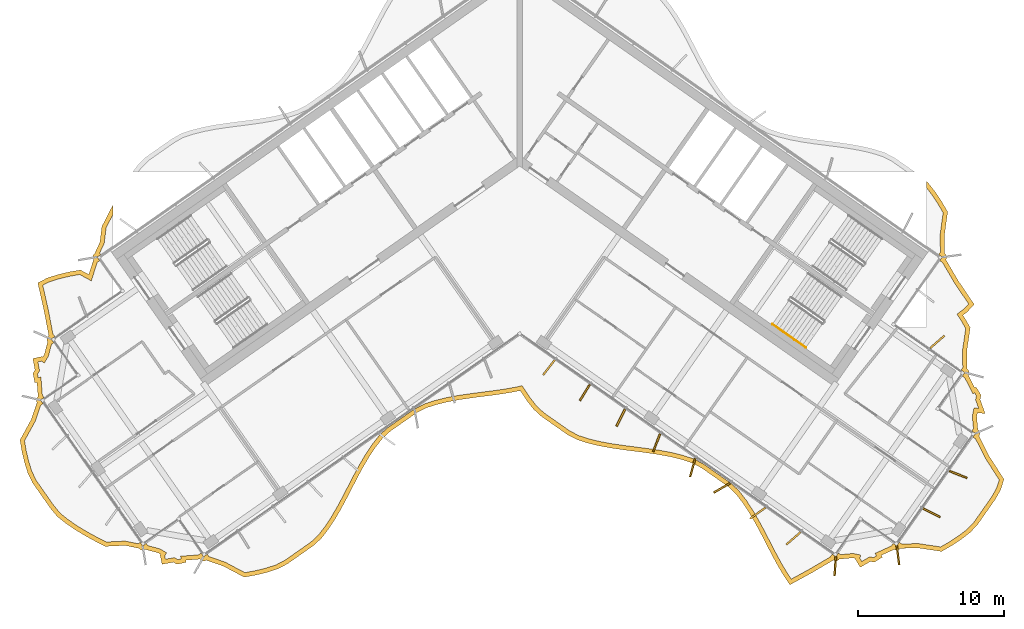
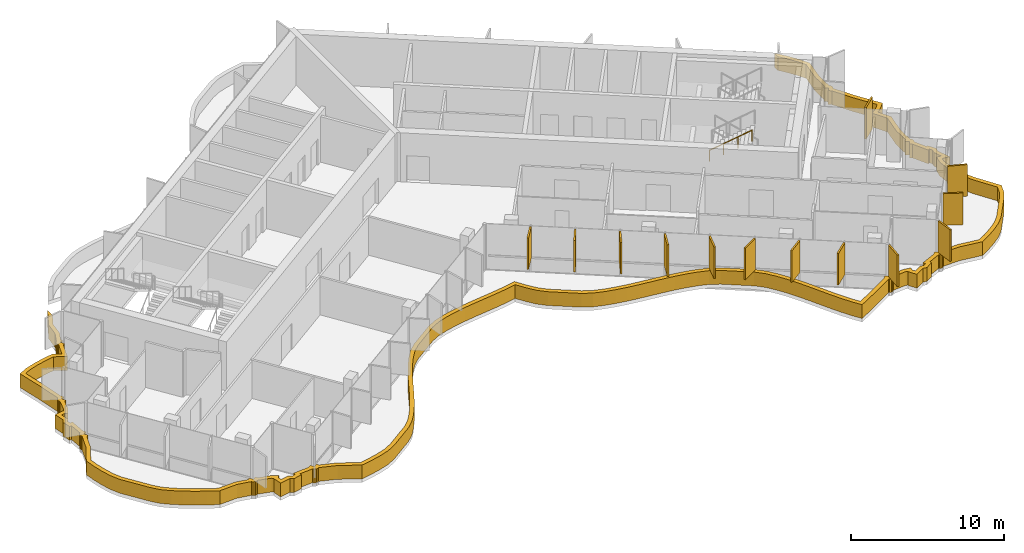
# One storey, part 16 of 18: 14 shading devices, 1 railing.
"""IFC4 building model written with IfcOpenShell, lengths in metres."""

from ifc_helpers import new_model, si_unit, direction, frame, origin, origin_2d, place, context, subcontext, project, spatial, polyline, rectangle, circle, outline, extrude, material, layer, layer_set, type_object, element, save


model = new_model("IFC4")

# Units and contexts
model_context = context("Model", 3, precision=1e-05, world=origin(), true_north=direction((0.0, 1.0)))
body_context = subcontext(model_context, "Body", "Model", "MODEL_VIEW")
ifc_project = project(units=[si_unit("LENGTHUNIT", "METRE"), si_unit("AREAUNIT", "SQUARE_METRE"), si_unit("VOLUMEUNIT", "CUBIC_METRE"), si_unit("PLANEANGLEUNIT", "RADIAN"), si_unit("MASSUNIT", "GRAM", prefix="KILO")], contexts=[model_context])

# Site, building, storey
site_placement = place(None, origin())
site = spatial("IfcSite", under=ifc_project, at=site_placement, CompositionType="ELEMENT")
building_placement = place(site_placement, origin())
building = spatial("IfcBuilding", under=site, at=building_placement, Name="Tel Ilan Convention Tower", CompositionType="ELEMENT")
storey_placement = place(building_placement, frame((0.0, 0.0, 256.60009765625)))
storey = spatial("IfcBuildingStorey", under=building, at=storey_placement, Name="L60", CompositionType="ELEMENT", Elevation=256.60009765625)

# Shading devices
ifc_material_1 = material(Name="Aluminium, bronze anodised", Category="aluminium")
ifc_layer_1 = layer(ifc_material_1, 0.1201171875)
ifc_layer_set_1 = layer_set([ifc_layer_1], Name="FIN BRONZE 1300x120")
shading_device_type_1 = type_object("IfcShadingDeviceType", Name="FIN BRONZE 1300x120", PredefinedType="USERDEFINED", material=ifc_layer_set_1)
for number, where, z_axis, x_axis, name in (
    (1, (2.007568359375, -15.019287109375, 1.099853515625), (0.0, 0.0, 1.0), (-0.612600545196, -0.790392669516, 0.0), "FIN"),
    (2, (4.466552734375, -16.740966796875, 1.099853515625), (0.0, 0.0, 1.0), (-0.533204432798, -0.845986425922, 0.0), "FIN"),
    (3, (6.92529296875, -18.46240234375, 1.099853515625), (0.0, 0.0, 1.0), (-0.448799180206, -0.893632640321, 0.0), "FIN"),
    (4, (9.38671875, -20.177978515625, 1.099853515625), (0.0, 0.0, 1.0), (-0.360177724803, -0.932883704733, 0.0), "FIN"),
    (5, (11.8505859375, -21.887939453125, 1.099853515625), (0.0, 0.0, 1.0), (-0.268172612768, -0.963370878614, 0.0), "FIN"),
    (6, (13.865966796875, -23.276611328125, 1.099853515625), (0.0, 0.0, 1.0), (-0.866025403784, -0.5, 0.0), "FIN"),
    (7, (16.310302734375, -25.0107421875, 1.099853515625), (0.0, 0.0, 1.0), (-0.813552070258, -0.581492071294, 0.0), "FIN"),
    (8, (18.759765625, -26.7412109375, 1.099853515625), (0.0, 0.0, 1.0), (-0.753435896329, -0.657521368568, 0.0), "FIN"),
    (9, (21.623046875, -28.650146484375, 1.099853515625), (0.0, 0.0, 1.0), (-0.067821812994, -0.997697449973, 0.0), "FIN"),
    (10, (25.925048828125, -27.8984375, 1.099853515625), (0.0, 0.0, 1.0), (0.125718016748, -0.992066016082, 0.0), "FIN"),
    (11, (28.227783203125, -24.98095703125, 1.099853515625), (0.0, 0.0, 1.0), (0.893632640321, -0.448799180206, 0.0), "FIN"),
    (12, (30.05517578125, -22.360107421875, 1.099853515625), (0.0, 0.0, 1.0), (0.932883704733, -0.360177724803, 0.0), "FIN"),
    (13, (28.6201171875, -13.27099609375, 1.099853515625), (0.0, 0.0, 1.0), (0.753435896329, 0.657521368568, 0.0), "FIN"),
):
    element("IfcShadingDevice", number, at=place(storey_placement, frame(where, z_axis=z_axis, x_axis=x_axis)), inside=storey, type_object=shading_device_type_1, Name=name, ObjectType="FIN", PredefinedType="USERDEFINED", context=body_context, shape_type="SweptSolid", body=[
        extrude(rectangle(XDim=1.300048828125, YDim=0.1201171875, at=origin_2d()), origin(), (0.0, 0.0, 1.0), 2.52001953125),
    ])
ifc_material_2 = material(Name="Aluminium, bronze anodised", Category="aluminium")
ifc_layer_2 = layer(ifc_material_2, 0.300048828125)
ifc_layer_set_2 = layer_set([ifc_layer_2], Name="LOUVRE BAND 300x1100")
shading_device_type_2 = type_object("IfcShadingDeviceType", Name="LOUVRE BAND 300x1100", PredefinedType="USERDEFINED", material=ifc_layer_set_2)
shading_device_placement = place(storey_placement, origin())
element("IfcShadingDevice", 14, at=shading_device_placement, inside=storey, type_object=shading_device_type_2, Name="LOUVRE BAND 46.01", ObjectType="LOUVRE", PredefinedType="USERDEFINED", context=body_context, shape_type="SweptSolid", body=[
    extrude(outline(polyline([(-33.47021484375, -18.574462890625), (-34.248779296875, -19.995849609375), (-34.1181640625, -20.780517578125), (-33.940185546875, -21.531982421875), (-33.7158203125, -22.2509765625), (-33.401611328125, -22.906982421875), (-32.166748046875, -24.670654296875), (-31.707763671875, -25.22509765625), (-31.125732421875, -25.69384765625), (-30.49462890625, -26.1279296875), (-29.82373046875, -26.5341796875), (-29.12353515625, -26.920166015625), (-28.398193359375, -27.288330078125), (-27.05419921875, -27.223388671875), (-26.083984375, -27.420166015625), (-26.05517578125, -27.46337890625), (-25.957763671875, -27.5283203125), (-25.843017578125, -27.55126953125), (-25.728271484375, -27.5283203125), (-25.674072265625, -27.492431640625), (-24.7724609375, -27.73388671875), (-24.61669921875, -27.828857421875), (-24.64697265625, -27.878662109375), (-24.51416015625, -28.518310546875), (-23.728759765625, -28.3701171875), (-23.49462890625, -28.5126953125), (-22.855224609375, -28.3798828125), (-22.8828125, -28.233154296875), (-21.90576171875, -28.15673828125), (-21.876953125, -28.2001953125), (-21.779541015625, -28.26513671875), (-21.664794921875, -28.2880859375), (-21.550048828125, -28.26513671875), (-21.49609375, -28.22900390625), (-20.311279296875, -28.64013671875), (-18.883544921875, -29.3984375), (-18.087646484375, -29.25439453125), (-17.32080078125, -29.068359375), (-16.588623046875, -28.833251953125), (-15.931640625, -28.490478515625), (-14.12646484375, -27.226318359375), (-13.582763671875, -26.721923828125), (-13.1123046875, -26.113037109375), (-12.67626953125, -25.454833984375), (-12.267333984375, -24.7578125), (-11.877197265625, -24.0341796875), (-11.11572265625, -22.56005859375), (-10.724853515625, -21.83740234375), (-10.314697265625, -21.142333984375), (-9.877197265625, -20.486572265625), (-9.404541015625, -19.88037109375), (-8.85498046875, -19.384765625), (-7.049560546875, -18.12060546875), (-6.386474609375, -17.78662109375), (-5.65234375, -17.55419921875), (-4.884033203125, -17.370849609375), (-4.088623046875, -17.225830078125), (-3.274658203125, -17.107421875), (-1.629150390625, -16.895751953125), (-0.816650390625, -16.775146484375), (0.033203125, -16.6123046875), (0.470458984375, -17.269775390625), (0.94189453125, -17.877197265625), (1.488525390625, -18.377197265625), (3.2939453125, -19.641357421875), (3.953857421875, -19.979736328125), (4.68701171875, -20.213623046875), (5.45458984375, -20.398193359375), (6.24951171875, -20.5439453125), (7.06298828125, -20.6630859375), (8.70849609375, -20.87451171875), (9.521240234375, -20.99462890625), (10.314697265625, -21.142333984375), (11.080810546875, -21.329345703125), (11.811767578125, -21.56591796875), (12.4658203125, -21.912841796875), (14.27099609375, -23.177001953125), (14.811767578125, -23.685791015625), (15.28125, -24.29638671875), (15.71630859375, -24.95556640625), (16.12451171875, -25.653564453125), (16.51416015625, -26.3779296875), (17.27587890625, -27.851806640625), (17.6669921875, -28.573974609375), (18.077880859375, -29.26806640625), (18.5185546875, -29.91943359375), (19.969482421875, -29.128173828125), (21.49609375, -28.22900390625), (21.550048828125, -28.26513671875), (21.664794921875, -28.2880859375), (21.779541015625, -28.26513671875), (21.876953125, -28.2001953125), (21.90576171875, -28.15673828125), (22.8359375, -28.075439453125), (23.0146484375, -28.111328125), (23.003173828125, -28.168701171875), (23.3466796875, -28.72412109375), (24.0341796875, -28.316162109375), (24.302734375, -28.370361328125), (24.8583984375, -28.02685546875), (24.7822265625, -27.8984375), (25.674072265625, -27.492431640625), (25.728271484375, -27.5283203125), (25.843017578125, -27.55126953125), (25.957763671875, -27.5283203125), (26.05517578125, -27.46337890625), (26.083984375, -27.420166015625), (27.309326171875, -27.395263671875), (28.911376953125, -27.634521484375), (29.60546875, -27.237548828125), (30.25439453125, -26.809326171875), (30.856201171875, -26.347900390625), (31.3623046875, -25.819580078125), (32.6064453125, -24.042724609375), (32.962646484375, -23.409423828125), (33.192138671875, -22.687255859375), (32.166015625, -21.086181640625), (31.4755859375, -19.719970703125), (31.51171875, -19.666015625), (31.53466796875, -19.55126953125), (31.51171875, -19.4365234375), (31.44677734375, -19.339111328125), (31.4033203125, -19.31005859375), (31.322021484375, -18.380126953125), (31.373779296875, -18.12255859375), (31.9052734375, -18.189697265625), (31.555419921875, -17.218994140625), (31.616943359375, -16.9130859375), (31.2734375, -16.357666015625), (31.182861328125, -16.411376953125), (30.739013671875, -15.541748046875), (30.775146484375, -15.48779296875), (30.7978515625, -15.373046875), (30.775146484375, -15.25830078125), (30.7099609375, -15.160888671875), (30.666748046875, -15.1318359375), (30.642822265625, -13.902099609375), (30.879638671875, -12.2998046875), (30.48095703125, -11.605224609375), (30.3720703125, -11.4404296875), (30.66748046875, -11.218994140625), (31.151123046875, -10.703125), (30.056640625, -9.082275390625), (29.199951171875, -7.6279296875), (29.236083984375, -7.57373046875), (29.2587890625, -7.458984375), (29.236083984375, -7.34423828125), (29.1708984375, -7.246826171875), (29.127685546875, -7.218017578125), (29.10986328125, -5.95947265625), (29.331298828125, -4.35888671875), (28.922119140625, -3.659423828125), (28.48388671875, -3.001220703125), (28.0107421875, -2.392822265625), (27.874755859375, -2.269287109375), (27.874755859375, -2.70654296875), (28.240234375, -3.176513671875), (28.66748046875, -3.818359375), (29.02001953125, -4.420654296875), (28.809326171875, -5.941162109375), (28.829345703125, -7.12109375), (28.713134765625, -7.286865234375), (28.958740234375, -7.458984375), (28.787353515625, -7.705322265625), (28.97900390625, -7.83935546875), (29.802734375, -9.2421875), (30.7685546875, -10.672607421875), (30.466552734375, -10.99462890625), (29.9658203125, -11.369873046875), (30.225341796875, -11.7626953125), (30.567626953125, -12.35888671875), (30.34228515625, -13.88330078125), (30.367919921875, -15.03564453125), (30.252197265625, -15.200927734375), (30.497802734375, -15.373046875), (30.326416015625, -15.619140625), (30.510009765625, -15.747802734375), (31.060302734375, -16.832763671875), (31.173095703125, -16.765869140625), (31.29931640625, -16.97021484375), (31.244873046875, -17.241943359375), (31.45703125, -17.830810546875), (31.134765625, -17.7900390625), (31.019287109375, -18.364013671875), (31.097900390625, -19.223388671875), (30.98876953125, -19.379150390625), (31.234619140625, -19.55126953125), (31.063232421875, -19.79736328125), (31.246337890625, -19.92578125), (31.905029296875, -21.23486328125), (32.863525390625, -22.730712890625), (32.68603515625, -23.289306640625), (32.352294921875, -23.8828125), (31.129638671875, -25.628662109375), (30.6552734375, -26.123779296875), (30.080322265625, -26.56494140625), (29.4482421875, -26.98193359375), (28.852783203125, -27.322265625), (27.328125, -27.0947265625), (26.18017578125, -27.12109375), (26.01513671875, -27.005615234375), (25.843017578125, -27.251220703125), (25.5966796875, -27.079833984375), (25.472412109375, -27.257568359375), (24.35302734375, -27.762939453125), (24.4501953125, -27.926513671875), (24.245849609375, -28.052734375), (23.980224609375, -27.99951171875), (23.447021484375, -28.31591796875), (23.32080078125, -28.111572265625), (23.367919921875, -27.87646484375), (22.85205078125, -27.772705078125), (21.99267578125, -27.851318359375), (21.8369140625, -27.7421875), (21.664794921875, -27.988037109375), (21.418701171875, -27.816650390625), (21.284423828125, -28.008056640625), (19.82177734375, -28.866943359375), (18.6142578125, -29.525634765625), (18.331298828125, -29.107666015625), (17.92822265625, -28.426025390625), (17.541015625, -27.71142578125), (16.779541015625, -26.238037109375), (16.38623046875, -25.506591796875), (15.97119140625, -24.797119140625), (15.525634765625, -24.1220703125), (15.034912109375, -23.48388671875), (14.4609375, -22.94384765625), (12.62255859375, -21.656494140625), (11.92919921875, -21.288818359375), (11.16259765625, -21.04052734375), (10.3779296875, -20.848876953125), (9.570556640625, -20.69873046875), (8.749755859375, -20.577392578125), (7.103759765625, -20.36572265625), (6.29833984375, -20.248046875), (5.516845703125, -20.1044921875), (4.767822265625, -19.924560546875), (4.068603515625, -19.701416015625), (3.44921875, -19.3837890625), (1.6767578125, -18.142822265625), (1.163330078125, -17.673095703125), (0.714111328125, -17.094482421875), (0.165771484375, -16.269775390625), (-0.087890625, -16.33349609375), (-0.866455078125, -16.479248046875), (-1.67041015625, -16.5986328125), (-3.315185546875, -16.81005859375), (-4.136962890625, -16.9296875), (-4.945556640625, -17.0771484375), (-5.732666015625, -17.264892578125), (-6.5, -17.5078125), (-7.203857421875, -17.8623046875), (-9.042236328125, -19.1494140625), (-9.625, -19.67529296875), (-10.12060546875, -20.310791015625), (-10.56884765625, -20.982666015625), (-10.986083984375, -21.68994140625), (-11.380859375, -22.419677734375), (-12.142578125, -23.89404296875), (-12.529052734375, -24.61083984375), (-12.930908203125, -25.2958984375), (-13.356201171875, -25.938232421875), (-13.804931640625, -26.518798828125), (-14.315185546875, -26.992431640625), (-16.087890625, -28.233642578125), (-16.704833984375, -28.555419921875), (-17.402099609375, -28.779541015625), (-18.149658203125, -28.960693359375), (-18.83447265625, -29.084716796875), (-20.19140625, -28.3642578125), (-21.302978515625, -27.981689453125), (-21.418701171875, -27.816650390625), (-21.664794921875, -27.988037109375), (-21.8369140625, -27.7421875), (-22.01513671875, -27.8671875), (-23.239990234375, -27.959228515625), (-23.20458984375, -28.14599609375), (-23.439697265625, -28.19482421875), (-23.671142578125, -28.053955078125), (-24.2802734375, -28.1689453125), (-24.3291015625, -27.933837890625), (-24.204345703125, -27.72900390625), (-24.65380859375, -27.455078125), (-25.48828125, -27.23486328125), (-25.5966796875, -27.079833984375), (-25.843017578125, -27.251220703125), (-26.01513671875, -27.005615234375), (-26.15478515625, -27.103271484375), (-27.03076171875, -26.921875), (-28.333251953125, -26.98486328125), (-28.983154296875, -26.65478515625), (-29.673583984375, -26.2744140625), (-30.331787109375, -25.8759765625), (-30.946533203125, -25.453125), (-31.495849609375, -25.010498046875), (-31.927978515625, -24.488525390625), (-33.141845703125, -22.755126953125), (-33.43603515625, -22.140869140625), (-33.650634765625, -21.45263671875), (-33.823974609375, -20.72119140625), (-33.935791015625, -20.048828125), (-33.1943359375, -18.6953125), (-32.833251953125, -17.61865234375), (-32.669189453125, -17.50390625), (-32.840576171875, -17.257568359375), (-32.594970703125, -17.08544921875), (-32.7197265625, -16.9072265625), (-32.811767578125, -15.6826171875), (-32.998779296875, -15.7177734375), (-33.047607421875, -15.482666015625), (-32.906494140625, -15.251220703125), (-33.021484375, -14.64208984375), (-32.786376953125, -14.59326171875), (-32.58154296875, -14.718017578125), (-32.3076171875, -14.268798828125), (-32.087646484375, -13.434326171875), (-31.932373046875, -13.32568359375), (-32.103759765625, -13.079345703125), (-31.858154296875, -12.9072265625), (-31.993408203125, -12.714111328125), (-32.314697265625, -11.033447265625), (-32.68798828125, -9.385986328125), (-32.26708984375, -9.168701171875), (-31.5771484375, -8.950439453125), (-30.838623046875, -8.77392578125), (-30.161376953125, -8.65625), (-29.363525390625, -9.087646484375), (-28.950439453125, -7.8193359375), (-28.787353515625, -7.705322265625), (-28.958740234375, -7.458984375), (-28.713134765625, -7.286865234375), (-28.785888671875, -7.182861328125), (-28.480224609375, -6.525634765625), (-28.343994140625, -5.44384765625), (-27.874755859375, -4.536376953125), (-27.874755859375, -3.881103515625), (-28.635009765625, -5.353271484375), (-28.772216796875, -6.441650390625), (-29.127685546875, -7.218017578125), (-29.1708984375, -7.246826171875), (-29.236083984375, -7.34423828125), (-29.2587890625, -7.458984375), (-29.236083984375, -7.57373046875), (-29.199951171875, -7.6279296875), (-29.537353515625, -8.652587890625), (-30.110107421875, -8.3427734375), (-30.899169921875, -8.47998046875), (-31.6572265625, -8.661376953125), (-32.3818359375, -8.890380859375), (-33.031982421875, -9.225830078125), (-32.6083984375, -11.094970703125), (-32.272705078125, -12.83837890625), (-32.31591796875, -12.8671875), (-32.381103515625, -12.964599609375), (-32.40380859375, -13.079345703125), (-32.381103515625, -13.1943359375), (-32.344970703125, -13.248291015625), (-32.586669921875, -14.14990234375), (-32.681640625, -14.3056640625), (-32.7314453125, -14.275390625), (-33.370849609375, -14.408203125), (-33.22265625, -15.193603515625), (-33.365478515625, -15.427734375), (-33.232666015625, -16.067138671875), (-33.0859375, -16.03955078125), (-33.009521484375, -17.0166015625), (-33.052734375, -17.04541015625), (-33.11767578125, -17.142822265625), (-33.140625, -17.257568359375), (-33.11767578125, -17.372314453125), (-33.081787109375, -17.426513671875), (-33.47021484375, -18.574462890625)])), origin(), (0.0, 0.0, 1.0), 1.099853515625),
])

# Railing
ifc_material_3 = material(Name="Stainless Steel Grade 316", Category="steel")
railing_type = type_object("IfcRailingType", Name="Stainless Steel Stair Handrail 900 mm", PredefinedType="HANDRAIL", material=ifc_material_3)
railing_placement = place(storey_placement, frame((17.312744140625, -12.0615234375, 2.127197265625)))
element("IfcRailing", 15, at=railing_placement, inside=storey, type_object=railing_type, Name="L60 S4 stair handrail 2", PredefinedType="HANDRAIL", context=body_context, shape_type="SweptSolid", body=[
    extrude(circle(Radius=0.02392578125, at=origin_2d()), frame((0.0, 0.0, 0.8759765625), z_axis=(0.692123088272, -0.484596665743, 0.534912798717), x_axis=(0.573550118428, 0.819170471667, 0.0)), (0.0, 0.0, 1.0), 3.31396484375),
    extrude(circle(Radius=0.02099609375, at=origin_2d()), origin(), (0.0, 0.0, 1.0), 0.851806640625),
    extrude(circle(Radius=0.02099609375, at=origin_2d()), frame((0.7646484375, -0.535400390625, 0.5908203125)), (0.0, 0.0, 1.0), 0.851806640625),
    extrude(circle(Radius=0.02099609375, at=origin_2d()), frame((1.529052734375, -1.070556640625, 1.181884765625)), (0.0, 0.0, 1.0), 0.851806640625),
    extrude(circle(Radius=0.02099609375, at=origin_2d()), frame((2.293701171875, -1.60595703125, 1.772705078125)), (0.0, 0.0, 1.0), 0.851806640625),
])

save(model, "model.ifc")
